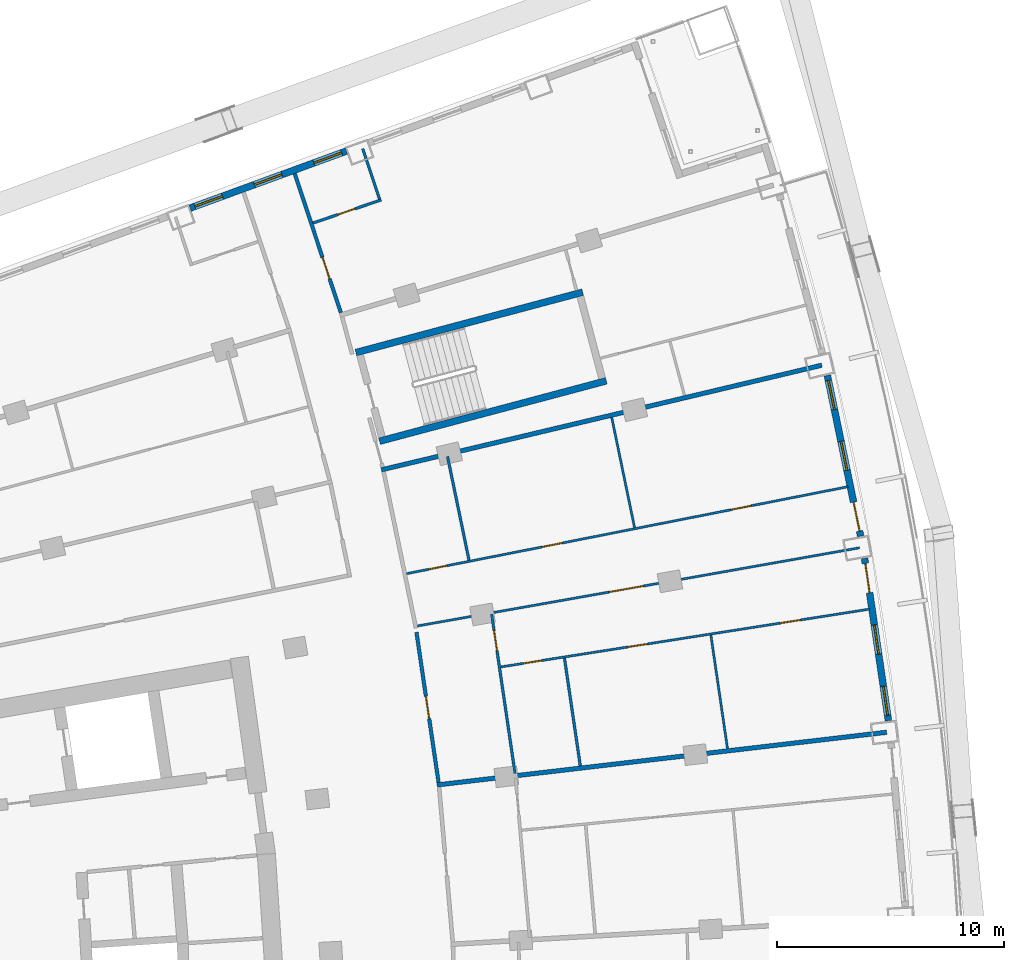
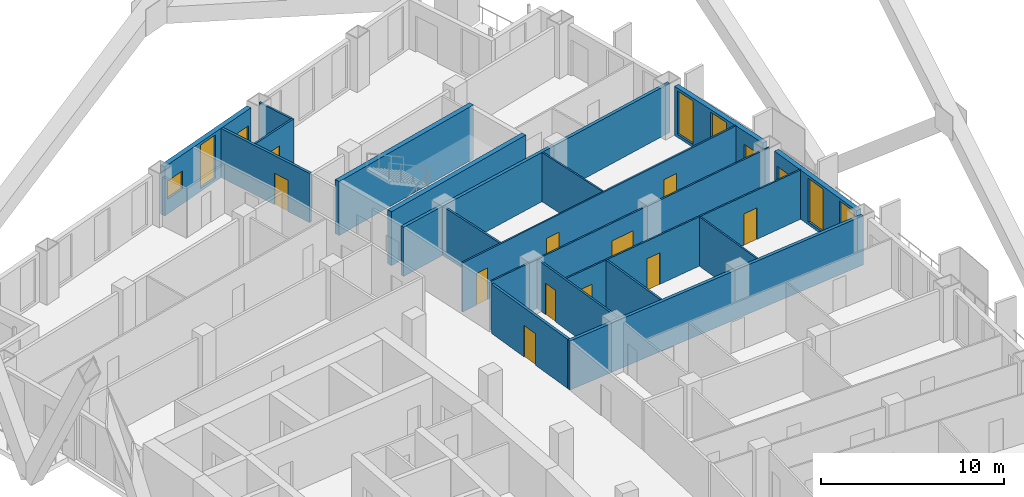
# One storey, part 18 of 24: 19 walls, 13 doors, 7 windows, 20 openings.
"""IFC4 building model written with IfcOpenShell, lengths in metres."""

from ifc_helpers import new_model, si_unit, direction, frame, frame_2d, origin, place, context, subcontext, project, spatial, rectangle, extrude, material, layer, layer_set, type_object, element, fill, save


model = new_model("IFC4")

# Units and contexts
model_context = context("Model", 3, precision=1e-05, world=origin(), true_north=direction((0.0, 1.0)))
body_context = subcontext(model_context, "Body", "Model", "MODEL_VIEW")
ifc_project = project(units=[si_unit("LENGTHUNIT", "METRE"), si_unit("AREAUNIT", "SQUARE_METRE"), si_unit("VOLUMEUNIT", "CUBIC_METRE"), si_unit("PLANEANGLEUNIT", "RADIAN"), si_unit("MASSUNIT", "GRAM", prefix="KILO")], contexts=[model_context])

# Site, building, storey
site_placement = place(None, origin())
site = spatial("IfcSite", under=ifc_project, at=site_placement, CompositionType="ELEMENT")
building_placement = place(site_placement, origin())
building = spatial("IfcBuilding", under=site, at=building_placement, Name="Alderwake Tower", CompositionType="ELEMENT")
storey_placement = place(building_placement, frame((0.0, 0.0, 104.0)))
storey = spatial("IfcBuildingStorey", under=building, at=storey_placement, Name="L25", CompositionType="ELEMENT", Elevation=104.0)

# Walls
ifc_material_1 = material(Name="Concrete C70/85", Category="concrete")
ifc_layer_1 = layer(ifc_material_1, 0.300048828125)
ifc_layer_set_1 = layer_set([ifc_layer_1], Name="Core wall stair enclosure 300 C70-85")
wall_type_1 = type_object("IfcWallType", Name="Core wall stair enclosure 300 C70-85", PredefinedType="SHEAR", material=ifc_layer_set_1)
for number, where, z_axis, x_axis, name in (
    (1, (36.71142578125, 94.182373046875, 0.0), (0.0, 0.0, 1.0), (0.966309214305, 0.257383958996, 0.0), "Core wall CW.082"),
    (2, (37.75390625, 90.268798828125, 0.0), (0.0, 0.0, 1.0), (0.966309214305, 0.257383958996, 0.0), "Core wall CW.084"),
):
    element("IfcWall", number, at=place(storey_placement, frame(where, z_axis=z_axis, x_axis=x_axis)), inside=storey, type_object=wall_type_1, Name=name, PredefinedType="SHEAR", context=body_context, shape_type="SweptSolid", body=[
        extrude(rectangle(XDim=10.360107421875, YDim=0.300048828125, at=frame_2d((5.18017578125, 0.0))), origin(), (0.0, 0.0, 1.0), 3.60009765625),
    ])

# Wall, opening, door
ifc_material_2 = material(Name="Gypsum board on metal studs, rated")
ifc_layer_2 = layer(ifc_material_2, 0.159912109375)
ifc_layer_set_2 = layer_set([ifc_layer_2], Name="Corridor wall 160")
wall_type_2 = type_object("IfcWallType", Name="Corridor wall 160", PredefinedType="PARTITIONING", material=ifc_layer_set_2)
wall_1_placement = place(storey_placement, frame((34.010986328125, 102.083984375, 0.0), z_axis=(0.0, 0.0, 1.0), x_axis=(0.315140606423, -0.949044992708, 0.0)))
wall_1 = element("IfcWall", 3, at=wall_1_placement, inside=storey, type_object=wall_type_2, Name="WL/L25/W28", PredefinedType="PARTITIONING", context=body_context, shape_type="SweptSolid", body=[
    extrude(rectangle(XDim=6.46875, YDim=0.159912109375, at=frame_2d((3.234375, 0.0))), origin(), (0.0, 0.0, 1.0), 3.280029296875),
])
opening_1_placement = place(wall_1_placement, frame((3.897705078125, 0.0, 0.0)))
opening_1 = element("IfcOpeningElement", 4, at=opening_1_placement, cuts=wall_1, Name="Opening R07-U04.1", PredefinedType="OPENING", context=body_context, shape_type="SweptSolid", body=[
    extrude(rectangle(XDim=1.0, YDim=2.10009765625, at=frame_2d((0.5, 1.050048828125))), frame((0.0, 0.08984375, 0.0), z_axis=(0.0, -1.0, 0.0), x_axis=(1.0, 0.0, 0.0)), (0.0, 0.0, 1.0), 0.179931640625),
])
ifc_material_3 = material(Name="Solid timber leaf in steel frame", Category="steel")
door_type_1 = type_object("IfcDoorType", Name="Flat entrance door 1000 fire-rated", OperationType="SINGLE_SWING_LEFT", PredefinedType="DOOR", material=ifc_material_3)
door_1_placement = place(opening_1_placement, origin())
door_1 = element("IfcDoor", 5, at=door_1_placement, inside=storey, type_object=door_type_1, Name="DR/L25/U04.1", OperationType="SINGLE_SWING_LEFT", OverallHeight=2.10009765625, OverallWidth=1.0, PredefinedType="DOOR", context=body_context, shape_type="SweptSolid", body=[
    extrude(rectangle(XDim=1.0, YDim=2.10009765625, at=frame_2d((0.5, 1.050048828125))), frame((0.0, 0.02490234375, 0.0), z_axis=(0.0, -1.0, 0.0), x_axis=(1.0, 0.0, 0.0)), (0.0, 0.0, 1.0), 0.050048828125),
])
fill(opening_1, door_1)

wall_2_placement = place(storey_placement, frame((39.38671875, 81.837158203125, 0.0), z_axis=(0.0, 0.0, 1.0), x_axis=(0.145576845789, -0.989346947218, 0.0)))
wall_2 = element("IfcWall", 6, at=wall_2_placement, inside=storey, type_object=wall_type_2, Name="WL/L25/W39", PredefinedType="PARTITIONING", context=body_context, shape_type="SweptSolid", body=[
    extrude(rectangle(XDim=6.701416015625, YDim=0.159912109375, at=frame_2d((3.3505859375, 0.0))), origin(), (0.0, 0.0, 1.0), 3.280029296875),
])
opening_2_placement = place(wall_2_placement, frame((2.850830078125, 0.0, 0.0)))
opening_2 = element("IfcOpeningElement", 7, at=opening_2_placement, cuts=wall_2, Name="Opening R07-U09.2", PredefinedType="OPENING", context=body_context, shape_type="SweptSolid", body=[
    extrude(rectangle(XDim=1.0, YDim=2.10009765625, at=frame_2d((0.5, 1.050048828125))), frame((0.0, 0.08984375, 0.0), z_axis=(0.0, -1.0, 0.0), x_axis=(1.0, 0.0, 0.0)), (0.0, 0.0, 1.0), 0.179931640625),
])
door_2_placement = place(opening_2_placement, origin())
door_2 = element("IfcDoor", 8, at=door_2_placement, inside=storey, type_object=door_type_1, Name="DR/L25/U09.2", OperationType="SINGLE_SWING_LEFT", OverallHeight=2.10009765625, OverallWidth=1.0, PredefinedType="DOOR", context=body_context, shape_type="SweptSolid", body=[
    extrude(rectangle(XDim=1.0, YDim=2.10009765625, at=frame_2d((0.5, 1.050048828125))), frame((0.0, 0.02490234375, 0.0), z_axis=(0.0, -1.0, 0.0), x_axis=(1.0, 0.0, 0.0)), (0.0, 0.0, 1.0), 0.050048828125),
])
fill(opening_2, door_2)

# Wall, openings, door, windows
ifc_material_4 = material(Name="Precast concrete C50/60 spandrel panel", Category="concrete")
ifc_layer_3 = layer(ifc_material_4, 0.300048828125)
ifc_layer_set_3 = layer_set([ifc_layer_3], Name="External wall EW1 Precast concrete C50/60 spandrel")
wall_type_3 = type_object("IfcWallType", Name="External wall EW1 Precast concrete C50/60 spandrel", PredefinedType="SOLIDWALL", material=ifc_layer_set_3)
wall_3_placement = place(storey_placement, frame((60.21728515625, 77.935302734375, 0.0), z_axis=(0.0, 0.0, 1.0), x_axis=(-0.145324114128, 0.989384102284, 0.0)))
wall_3 = element("IfcWall", 9, at=wall_3_placement, inside=storey, type_object=wall_type_3, Name="External wall 19", PredefinedType="SOLIDWALL", context=body_context, shape_type="SweptSolid", body=[
    extrude(rectangle(XDim=7.24072265625, YDim=0.300048828125, at=frame_2d((3.620361328125, 0.0))), origin(), (0.0, 0.0, 1.0), 3.280029296875),
])
opening_3_placement = place(wall_3_placement, frame((0.22900390625, 0.0, 0.199951171875)))
opening_3 = element("IfcOpeningElement", 10, at=opening_3_placement, cuts=wall_3, Name="Opening W1", PredefinedType="OPENING", context=body_context, shape_type="SweptSolid", body=[
    extrude(rectangle(XDim=1.300048828125, YDim=2.89990234375, at=frame_2d((0.64990234375, 1.449951171875))), frame((0.0, 0.159912109375, 0.0), z_axis=(0.0, -1.0, 0.0), x_axis=(1.0, 0.0, 0.0)), (0.0, 0.0, 1.0), 0.320068359375),
])
opening_4_placement = place(wall_3_placement, frame((2.97021484375, 0.0, 0.199951171875)))
opening_4 = element("IfcOpeningElement", 11, at=opening_4_placement, cuts=wall_3, Name="Opening W1", PredefinedType="OPENING", context=body_context, shape_type="SweptSolid", body=[
    extrude(rectangle(XDim=1.300048828125, YDim=2.89990234375, at=frame_2d((0.64990234375, 1.449951171875))), frame((0.0, 0.159912109375, 0.0), z_axis=(0.0, -1.0, 0.0), x_axis=(1.0, 0.0, 0.0)), (0.0, 0.0, 1.0), 0.320068359375),
])
opening_5_placement = place(wall_3_placement, frame((5.711669921875, 0.0, 0.0)))
opening_5 = element("IfcOpeningElement", 12, at=opening_5_placement, cuts=wall_3, Name="Opening D09", PredefinedType="OPENING", context=body_context, shape_type="SweptSolid", body=[
    extrude(rectangle(XDim=1.300048828125, YDim=2.39990234375, at=frame_2d((0.64990234375, 1.199951171875))), frame((0.0, 0.159912109375, 0.0), z_axis=(0.0, -1.0, 0.0), x_axis=(1.0, 0.0, 0.0)), (0.0, 0.0, 1.0), 0.320068359375),
])
ifc_material_5 = material(Name="Bronze tinted glass in aluminium frame", Category="aluminium")
door_type_2 = type_object("IfcDoorType", Name="Balcony door BD sliding", OperationType="SLIDING_TO_LEFT", PredefinedType="DOOR", material=ifc_material_5)
door_3_placement = place(opening_5_placement, origin())
door_3 = element("IfcDoor", 13, at=door_3_placement, inside=storey, type_object=door_type_2, Name="Door D09", OperationType="SLIDING_TO_LEFT", OverallHeight=2.39990234375, OverallWidth=1.300048828125, PredefinedType="DOOR", context=body_context, shape_type="SweptSolid", body=[
    extrude(rectangle(XDim=1.300048828125, YDim=2.39990234375, at=frame_2d((0.64990234375, 1.199951171875))), frame((0.0, 0.02490234375, 0.0), z_axis=(0.0, -1.0, 0.0), x_axis=(1.0, 0.0, 0.0)), (0.0, 0.0, 1.0), 0.050048828125),
])
fill(opening_5, door_3)
ifc_material_6 = material(Name="Bronze tinted glass in aluminium frame", Category="aluminium")
window_type_1 = type_object("IfcWindowType", Name="Window W1 tall fixed and vent", PartitioningType="DOUBLE_PANEL_VERTICAL", PredefinedType="WINDOW", material=ifc_material_6)
window_1_placement = place(opening_3_placement, origin())
window_1 = element("IfcWindow", 14, at=window_1_placement, inside=storey, type_object=window_type_1, Name="Window W1 tall fixed and vent", OverallHeight=2.89990234375, OverallWidth=1.300048828125, PartitioningType="DOUBLE_PANEL_VERTICAL", PredefinedType="WINDOW", context=body_context, shape_type="SweptSolid", body=[
    extrude(rectangle(XDim=1.300048828125, YDim=2.89990234375, at=frame_2d((0.64990234375, 1.449951171875))), frame((0.0, 0.030029296875, 0.0), z_axis=(0.0, -1.0, 0.0), x_axis=(1.0, 0.0, 0.0)), (0.0, 0.0, 1.0), 0.06005859375),
])
fill(opening_3, window_1)
window_2_placement = place(opening_4_placement, origin())
window_2 = element("IfcWindow", 15, at=window_2_placement, inside=storey, type_object=window_type_1, Name="Window W1 tall fixed and vent", OverallHeight=2.89990234375, OverallWidth=1.300048828125, PartitioningType="DOUBLE_PANEL_VERTICAL", PredefinedType="WINDOW", context=body_context, shape_type="SweptSolid", body=[
    extrude(rectangle(XDim=1.300048828125, YDim=2.89990234375, at=frame_2d((0.64990234375, 1.449951171875))), frame((0.0, 0.030029296875, 0.0), z_axis=(0.0, -1.0, 0.0), x_axis=(1.0, 0.0, 0.0)), (0.0, 0.0, 1.0), 0.06005859375),
])
fill(opening_4, window_2)

wall_4_placement = place(storey_placement, frame((58.991455078125, 86.081298828125, 0.0), z_axis=(0.0, 0.0, 1.0), x_axis=(-0.202744971344, 0.97923157455, 0.0)))
wall_4 = element("IfcWall", 16, at=wall_4_placement, inside=storey, type_object=wall_type_3, Name="External wall 20", PredefinedType="SOLIDWALL", context=body_context, shape_type="SweptSolid", body=[
    extrude(rectangle(XDim=7.24072265625, YDim=0.300048828125, at=frame_2d((3.620361328125, 0.0))), origin(), (0.0, 0.0, 1.0), 3.280029296875),
])
opening_6_placement = place(wall_4_placement, frame((0.22900390625, 0.0, 0.0)))
opening_6 = element("IfcOpeningElement", 17, at=opening_6_placement, cuts=wall_4, Name="Opening D10", PredefinedType="OPENING", context=body_context, shape_type="SweptSolid", body=[
    extrude(rectangle(XDim=1.300048828125, YDim=2.39990234375, at=frame_2d((0.64990234375, 1.199951171875))), frame((0.0, 0.159912109375, 0.0), z_axis=(0.0, -1.0, 0.0), x_axis=(1.0, 0.0, 0.0)), (0.0, 0.0, 1.0), 0.320068359375),
])
opening_7_placement = place(wall_4_placement, frame((2.970458984375, 0.0, 0.199951171875)))
opening_7 = element("IfcOpeningElement", 18, at=opening_7_placement, cuts=wall_4, Name="Opening W1", PredefinedType="OPENING", context=body_context, shape_type="SweptSolid", body=[
    extrude(rectangle(XDim=1.300048828125, YDim=2.89990234375, at=frame_2d((0.64990234375, 1.449951171875))), frame((0.0, 0.159912109375, 0.0), z_axis=(0.0, -1.0, 0.0), x_axis=(1.0, 0.0, 0.0)), (0.0, 0.0, 1.0), 0.320068359375),
])
opening_8_placement = place(wall_4_placement, frame((5.711669921875, 0.0, 0.199951171875)))
opening_8 = element("IfcOpeningElement", 19, at=opening_8_placement, cuts=wall_4, Name="Opening W1", PredefinedType="OPENING", context=body_context, shape_type="SweptSolid", body=[
    extrude(rectangle(XDim=1.300048828125, YDim=2.89990234375, at=frame_2d((0.64990234375, 1.449951171875))), frame((0.0, 0.159912109375, 0.0), z_axis=(0.0, -1.0, 0.0), x_axis=(1.0, 0.0, 0.0)), (0.0, 0.0, 1.0), 0.320068359375),
])
door_4_placement = place(opening_6_placement, origin())
door_4 = element("IfcDoor", 20, at=door_4_placement, inside=storey, type_object=door_type_2, Name="Door D10", OperationType="SLIDING_TO_LEFT", OverallHeight=2.39990234375, OverallWidth=1.300048828125, PredefinedType="DOOR", context=body_context, shape_type="SweptSolid", body=[
    extrude(rectangle(XDim=1.300048828125, YDim=2.39990234375, at=frame_2d((0.64990234375, 1.199951171875))), frame((0.0, 0.02490234375, 0.0), z_axis=(0.0, -1.0, 0.0), x_axis=(1.0, 0.0, 0.0)), (0.0, 0.0, 1.0), 0.050048828125),
])
fill(opening_6, door_4)
window_3_placement = place(opening_7_placement, origin())
window_3 = element("IfcWindow", 21, at=window_3_placement, inside=storey, type_object=window_type_1, Name="Window W1 tall fixed and vent", OverallHeight=2.89990234375, OverallWidth=1.300048828125, PartitioningType="DOUBLE_PANEL_VERTICAL", PredefinedType="WINDOW", context=body_context, shape_type="SweptSolid", body=[
    extrude(rectangle(XDim=1.300048828125, YDim=2.89990234375, at=frame_2d((0.64990234375, 1.449951171875))), frame((0.0, 0.030029296875, 0.0), z_axis=(0.0, -1.0, 0.0), x_axis=(1.0, 0.0, 0.0)), (0.0, 0.0, 1.0), 0.06005859375),
])
fill(opening_7, window_3)
window_4_placement = place(opening_8_placement, origin())
window_4 = element("IfcWindow", 22, at=window_4_placement, inside=storey, type_object=window_type_1, Name="Window W1 tall fixed and vent", OverallHeight=2.89990234375, OverallWidth=1.300048828125, PartitioningType="DOUBLE_PANEL_VERTICAL", PredefinedType="WINDOW", context=body_context, shape_type="SweptSolid", body=[
    extrude(rectangle(XDim=1.300048828125, YDim=2.89990234375, at=frame_2d((0.64990234375, 1.449951171875))), frame((0.0, 0.030029296875, 0.0), z_axis=(0.0, -1.0, 0.0), x_axis=(1.0, 0.0, 0.0)), (0.0, 0.0, 1.0), 0.06005859375),
])
fill(opening_8, window_4)

# Wall, openings, windows
ifc_material_7 = material(Name="Bronze metal cladding on lightweight framing")
ifc_layer_4 = layer(ifc_material_7, 0.300048828125)
ifc_layer_set_4 = layer_set([ifc_layer_4], Name="External wall EW2 bronze metal cladding")
wall_type_4 = type_object("IfcWallType", Name="External wall EW2 bronze metal cladding", PredefinedType="SOLIDWALL", material=ifc_layer_set_4)
wall_5_placement = place(storey_placement, frame((36.293701171875, 103.077880859375, 0.0), z_axis=(0.0, 0.0, 1.0), x_axis=(-0.939378390818, -0.342882252187, 0.0)))
wall_5 = element("IfcWall", 23, at=wall_5_placement, inside=storey, type_object=wall_type_4, Name="External wall 27", PredefinedType="SOLIDWALL", context=body_context, shape_type="SweptSolid", body=[
    extrude(rectangle(XDim=7.345947265625, YDim=0.300048828125, at=frame_2d((3.6728515625, 0.0))), origin(), (0.0, 0.0, 1.0), 3.280029296875),
])
opening_9_placement = place(wall_5_placement, frame((0.222900390625, 0.0, 1.0)))
opening_9 = element("IfcOpeningElement", 24, at=opening_9_placement, cuts=wall_5, Name="Opening W2", PredefinedType="OPENING", context=body_context, shape_type="SweptSolid", body=[
    extrude(rectangle(XDim=1.300048828125, YDim=1.199951171875, at=frame_2d((0.64990234375, 0.60009765625))), frame((0.0, 0.159912109375, 0.0), z_axis=(0.0, -1.0, 0.0), x_axis=(1.0, 0.0, 0.0)), (0.0, 0.0, 1.0), 0.320068359375),
])
opening_10_placement = place(wall_5_placement, frame((3.02294921875, 0.0, 0.199951171875)))
opening_10 = element("IfcOpeningElement", 25, at=opening_10_placement, cuts=wall_5, Name="Opening W1", PredefinedType="OPENING", context=body_context, shape_type="SweptSolid", body=[
    extrude(rectangle(XDim=1.300048828125, YDim=2.89990234375, at=frame_2d((0.64990234375, 1.449951171875))), frame((0.0, 0.159912109375, 0.0), z_axis=(0.0, -1.0, 0.0), x_axis=(1.0, 0.0, 0.0)), (0.0, 0.0, 1.0), 0.320068359375),
])
opening_11_placement = place(wall_5_placement, frame((5.822998046875, 0.0, 1.0)))
opening_11 = element("IfcOpeningElement", 26, at=opening_11_placement, cuts=wall_5, Name="Opening W2", PredefinedType="OPENING", context=body_context, shape_type="SweptSolid", body=[
    extrude(rectangle(XDim=1.300048828125, YDim=1.199951171875, at=frame_2d((0.64990234375, 0.60009765625))), frame((0.0, 0.159912109375, 0.0), z_axis=(0.0, -1.0, 0.0), x_axis=(1.0, 0.0, 0.0)), (0.0, 0.0, 1.0), 0.320068359375),
])
window_5_placement = place(opening_10_placement, origin())
window_5 = element("IfcWindow", 27, at=window_5_placement, inside=storey, type_object=window_type_1, Name="Window W1 tall fixed and vent", OverallHeight=2.89990234375, OverallWidth=1.300048828125, PartitioningType="DOUBLE_PANEL_VERTICAL", PredefinedType="WINDOW", context=body_context, shape_type="SweptSolid", body=[
    extrude(rectangle(XDim=1.300048828125, YDim=2.89990234375, at=frame_2d((0.64990234375, 1.449951171875))), frame((0.0, 0.030029296875, 0.0), z_axis=(0.0, -1.0, 0.0), x_axis=(1.0, 0.0, 0.0)), (0.0, 0.0, 1.0), 0.06005859375),
])
fill(opening_10, window_5)
ifc_material_8 = material(Name="Bronze tinted glass in aluminium frame", Category="aluminium")
window_type_2 = type_object("IfcWindowType", Name="Window W2 kitchen and bath", PartitioningType="SINGLE_PANEL", PredefinedType="WINDOW", material=ifc_material_8)
window_6_placement = place(opening_9_placement, origin())
window_6 = element("IfcWindow", 28, at=window_6_placement, inside=storey, type_object=window_type_2, Name="Window W2 kitchen and bath", OverallHeight=1.199951171875, OverallWidth=1.300048828125, PartitioningType="SINGLE_PANEL", PredefinedType="WINDOW", context=body_context, shape_type="SweptSolid", body=[
    extrude(rectangle(XDim=1.300048828125, YDim=1.199951171875, at=frame_2d((0.64990234375, 0.60009765625))), frame((0.0, 0.030029296875, 0.0), z_axis=(0.0, -1.0, 0.0), x_axis=(1.0, 0.0, 0.0)), (0.0, 0.0, 1.0), 0.06005859375),
])
fill(opening_9, window_6)
window_7_placement = place(opening_11_placement, origin())
window_7 = element("IfcWindow", 29, at=window_7_placement, inside=storey, type_object=window_type_2, Name="Window W2 kitchen and bath", OverallHeight=1.199951171875, OverallWidth=1.300048828125, PartitioningType="SINGLE_PANEL", PredefinedType="WINDOW", context=body_context, shape_type="SweptSolid", body=[
    extrude(rectangle(XDim=1.300048828125, YDim=1.199951171875, at=frame_2d((0.64990234375, 0.60009765625))), frame((0.0, 0.030029296875, 0.0), z_axis=(0.0, -1.0, 0.0), x_axis=(1.0, 0.0, 0.0)), (0.0, 0.0, 1.0), 0.06005859375),
])
fill(opening_11, window_7)

# Walls
ifc_material_9 = material(Name="Dense block masonry wall", Category="masonry")
ifc_layer_5 = layer(ifc_material_9, 0.199951171875)
ifc_layer_set_5 = layer_set([ifc_layer_5], Name="Party wall 200")
wall_type_5 = type_object("IfcWallType", Name="Party wall 200", PredefinedType="SOLIDWALL", material=ifc_layer_set_5)
wall_6_placement = place(storey_placement, frame((37.839111328125, 89.006591796875, 0.0), z_axis=(0.0, 0.0, 1.0), x_axis=(0.972923052294, 0.23112925889, 0.0)))
element("IfcWall", 30, at=wall_6_placement, inside=storey, type_object=wall_type_5, Name="WL/L25/W07", PredefinedType="SOLIDWALL", context=body_context, shape_type="SweptSolid", body=[
    extrude(rectangle(XDim=19.977783203125, YDim=0.199951171875, at=frame_2d((9.98876953125, 0.0))), origin(), (0.0, 0.0, 1.0), 3.280029296875),
])
wall_7_placement = place(storey_placement, frame((40.297607421875, 75.0986328125, 0.0), z_axis=(0.0, 0.0, 1.0), x_axis=(0.993203301945, 0.11639244394, 0.0)))
element("IfcWall", 31, at=wall_7_placement, inside=storey, type_object=wall_type_5, Name="WL/L25/W08", PredefinedType="SOLIDWALL", context=body_context, shape_type="SweptSolid", body=[
    extrude(rectangle(XDim=19.979248046875, YDim=0.199951171875, at=frame_2d((9.98974609375, 0.0))), origin(), (0.0, 0.0, 1.0), 3.280029296875),
])

# Wall, openings, doors
ifc_material_10 = material(Name="Gypsum board on metal studs")
ifc_layer_6 = layer(ifc_material_10, 0.10009765625)
ifc_layer_set_6 = layer_set([ifc_layer_6], Name="Unit partition 100")
wall_type_6 = type_object("IfcWallType", Name="Unit partition 100", PredefinedType="PARTITIONING", material=ifc_layer_set_6)
wall_8_placement = place(storey_placement, frame((38.949462890625, 84.423583984375, 0.0), z_axis=(0.0, 0.0, 1.0), x_axis=(0.981139690944, 0.193300043595, 0.0)))
wall_8 = element("IfcWall", 32, at=wall_8_placement, inside=storey, type_object=wall_type_6, Name="WL/L25/W72", PredefinedType="PARTITIONING", context=body_context, shape_type="SweptSolid", body=[
    extrude(rectangle(XDim=19.862060546875, YDim=0.10009765625, at=frame_2d((9.93115234375, 0.0))), origin(), (0.0, 0.0, 1.0), 3.280029296875),
])
opening_12_placement = place(wall_8_placement, frame((6.093017578125, 0.0, 0.0)))
opening_12 = element("IfcOpeningElement", 33, at=opening_12_placement, cuts=wall_8, Name="Opening R07-U09.6", PredefinedType="OPENING", context=body_context, shape_type="SweptSolid", body=[
    extrude(rectangle(XDim=0.89990234375, YDim=2.10009765625, at=frame_2d((0.449951171875, 1.050048828125))), frame((0.0, 0.06005859375, 0.0), z_axis=(0.0, -1.0, 0.0), x_axis=(1.0, 0.0, 0.0)), (0.0, 0.0, 1.0), 0.1201171875),
])
opening_13_placement = place(wall_8_placement, frame((1.009521484375, 0.0, 0.0)))
opening_13 = element("IfcOpeningElement", 34, at=opening_13_placement, cuts=wall_8, Name="Opening R07-U09.7", PredefinedType="OPENING", context=body_context, shape_type="SweptSolid", body=[
    extrude(rectangle(XDim=0.800048828125, YDim=2.10009765625, at=frame_2d((0.39990234375, 1.050048828125))), frame((0.0, 0.06005859375, 0.0), z_axis=(0.0, -1.0, 0.0), x_axis=(1.0, 0.0, 0.0)), (0.0, 0.0, 1.0), 0.1201171875),
])
opening_14_placement = place(wall_8_placement, frame((14.614501953125, 0.0, 0.0)))
opening_14 = element("IfcOpeningElement", 35, at=opening_14_placement, cuts=wall_8, Name="Opening R07-U09.8", PredefinedType="OPENING", context=body_context, shape_type="SweptSolid", body=[
    extrude(rectangle(XDim=0.89990234375, YDim=2.10009765625, at=frame_2d((0.449951171875, 1.050048828125))), frame((0.0, 0.06005859375, 0.0), z_axis=(0.0, -1.0, 0.0), x_axis=(1.0, 0.0, 0.0)), (0.0, 0.0, 1.0), 0.1201171875),
])
ifc_material_11 = material(Name="Painted timber leaf", Category="wood")
door_type_3 = type_object("IfcDoorType", Name="Bathroom door 800", OperationType="SINGLE_SWING_LEFT", PredefinedType="DOOR", material=ifc_material_11)
door_5_placement = place(opening_13_placement, origin())
door_5 = element("IfcDoor", 36, at=door_5_placement, inside=storey, type_object=door_type_3, Name="DR/L25/U09.7", OperationType="SINGLE_SWING_LEFT", OverallHeight=2.10009765625, OverallWidth=0.800048828125, PredefinedType="DOOR", context=body_context, shape_type="SweptSolid", body=[
    extrude(rectangle(XDim=0.800048828125, YDim=2.10009765625, at=frame_2d((0.39990234375, 1.050048828125))), frame((0.0, 0.02490234375, 0.0), z_axis=(0.0, -1.0, 0.0), x_axis=(1.0, 0.0, 0.0)), (0.0, 0.0, 1.0), 0.050048828125),
])
fill(opening_13, door_5)
ifc_material_12 = material(Name="Painted timber leaf", Category="wood")
door_type_4 = type_object("IfcDoorType", Name="Room door 900", OperationType="SINGLE_SWING_LEFT", PredefinedType="DOOR", material=ifc_material_12)
door_6_placement = place(opening_12_placement, origin())
door_6 = element("IfcDoor", 37, at=door_6_placement, inside=storey, type_object=door_type_4, Name="DR/L25/U09.6", OperationType="SINGLE_SWING_LEFT", OverallHeight=2.10009765625, OverallWidth=0.89990234375, PredefinedType="DOOR", context=body_context, shape_type="SweptSolid", body=[
    extrude(rectangle(XDim=0.89990234375, YDim=2.10009765625, at=frame_2d((0.449951171875, 1.050048828125))), frame((0.0, 0.02490234375, 0.0), z_axis=(0.0, -1.0, 0.0), x_axis=(1.0, 0.0, 0.0)), (0.0, 0.0, 1.0), 0.050048828125),
])
fill(opening_12, door_6)
door_7_placement = place(opening_14_placement, origin())
door_7 = element("IfcDoor", 38, at=door_7_placement, inside=storey, type_object=door_type_4, Name="DR/L25/U09.8", OperationType="SINGLE_SWING_LEFT", OverallHeight=2.10009765625, OverallWidth=0.89990234375, PredefinedType="DOOR", context=body_context, shape_type="SweptSolid", body=[
    extrude(rectangle(XDim=0.89990234375, YDim=2.10009765625, at=frame_2d((0.449951171875, 1.050048828125))), frame((0.0, 0.02490234375, 0.0), z_axis=(0.0, -1.0, 0.0), x_axis=(1.0, 0.0, 0.0)), (0.0, 0.0, 1.0), 0.050048828125),
])
fill(opening_14, door_7)

# Wall, opening, door
wall_9_placement = place(storey_placement, frame((39.4267578125, 82.114990234375, 0.0), z_axis=(0.0, 0.0, 1.0), x_axis=(0.984725717962, 0.174112780649, 0.0)))
wall_9 = element("IfcWall", 39, at=wall_9_placement, inside=storey, type_object=wall_type_6, Name="WL/L25/W73", PredefinedType="PARTITIONING", context=body_context, shape_type="SweptSolid", body=[
    extrude(rectangle(XDim=19.820068359375, YDim=0.10009765625, at=frame_2d((9.91015625, 0.0))), origin(), (0.0, 0.0, 1.0), 3.280029296875),
])
opening_15_placement = place(wall_9_placement, frame((8.6064453125, 0.0, 0.0)))
opening_15 = element("IfcOpeningElement", 40, at=opening_15_placement, cuts=wall_9, Name="Opening R07-U09.9", PredefinedType="OPENING", context=body_context, shape_type="SweptSolid", body=[
    extrude(rectangle(XDim=1.5, YDim=2.10009765625, at=frame_2d((0.75, 1.050048828125))), frame((0.0, 0.06005859375, 0.0), z_axis=(0.0, -1.0, 0.0), x_axis=(1.0, 0.0, 0.0)), (0.0, 0.0, 1.0), 0.1201171875),
])
ifc_material_13 = material(Name="Painted timber leaves", Category="wood")
door_type_5 = type_object("IfcDoorType", Name="Double leaf door 1500", OperationType="DOUBLE_DOOR_SINGLE_SWING", PredefinedType="DOOR", material=ifc_material_13)
door_8_placement = place(opening_15_placement, origin())
door_8 = element("IfcDoor", 41, at=door_8_placement, inside=storey, type_object=door_type_5, Name="DR/L25/U09.9", OperationType="DOUBLE_DOOR_SINGLE_SWING", OverallHeight=2.10009765625, OverallWidth=1.5, PredefinedType="DOOR", context=body_context, shape_type="SweptSolid", body=[
    extrude(rectangle(XDim=1.5, YDim=2.10009765625, at=frame_2d((0.75, 1.050048828125))), frame((0.0, 0.02490234375, 0.0), z_axis=(0.0, -1.0, 0.0), x_axis=(1.0, 0.0, 0.0)), (0.0, 0.0, 1.0), 0.050048828125),
])
fill(opening_15, door_8)

# Wall, openings, doors
wall_10_placement = place(storey_placement, frame((59.39404296875, 82.860107421875, 0.0), z_axis=(0.0, 0.0, 1.0), x_axis=(-0.9879355272, -0.15486572925, 0.0)))
wall_10 = element("IfcWall", 42, at=wall_10_placement, inside=storey, type_object=wall_type_6, Name="WL/L25/W76", PredefinedType="PARTITIONING", context=body_context, shape_type="SweptSolid", body=[
    extrude(rectangle(XDim=16.483642578125, YDim=0.10009765625, at=frame_2d((8.24169921875, 0.0))), origin(), (0.0, 0.0, 1.0), 3.280029296875),
])
opening_16_placement = place(wall_10_placement, frame((9.92626953125, 0.0, 0.0)))
opening_16 = element("IfcOpeningElement", 43, at=opening_16_placement, cuts=wall_10, Name="Opening R07-U09.1", PredefinedType="OPENING", context=body_context, shape_type="SweptSolid", body=[
    extrude(rectangle(XDim=0.89990234375, YDim=2.10009765625, at=frame_2d((0.449951171875, 1.050048828125))), frame((0.0, 0.06005859375, 0.0), z_axis=(0.0, -1.0, 0.0), x_axis=(1.0, 0.0, 0.0)), (0.0, 0.0, 1.0), 0.1201171875),
])
opening_17_placement = place(wall_10_placement, frame((14.664794921875, 0.0, 0.0)))
opening_17 = element("IfcOpeningElement", 44, at=opening_17_placement, cuts=wall_10, Name="Opening R07-U09.4", PredefinedType="OPENING", context=body_context, shape_type="SweptSolid", body=[
    extrude(rectangle(XDim=0.800048828125, YDim=2.10009765625, at=frame_2d((0.39990234375, 1.050048828125))), frame((0.0, 0.06005859375, 0.0), z_axis=(0.0, -1.0, 0.0), x_axis=(1.0, 0.0, 0.0)), (0.0, 0.0, 1.0), 0.1201171875),
])
opening_18_placement = place(wall_10_placement, frame((3.10400390625, 0.0, 0.0)))
opening_18 = element("IfcOpeningElement", 45, at=opening_18_placement, cuts=wall_10, Name="Opening R07-U09.5", PredefinedType="OPENING", context=body_context, shape_type="SweptSolid", body=[
    extrude(rectangle(XDim=0.89990234375, YDim=2.10009765625, at=frame_2d((0.449951171875, 1.050048828125))), frame((0.0, 0.06005859375, 0.0), z_axis=(0.0, -1.0, 0.0), x_axis=(1.0, 0.0, 0.0)), (0.0, 0.0, 1.0), 0.1201171875),
])
door_9_placement = place(opening_17_placement, origin())
door_9 = element("IfcDoor", 46, at=door_9_placement, inside=storey, type_object=door_type_3, Name="DR/L25/U09.4", OperationType="SINGLE_SWING_LEFT", OverallHeight=2.10009765625, OverallWidth=0.800048828125, PredefinedType="DOOR", context=body_context, shape_type="SweptSolid", body=[
    extrude(rectangle(XDim=0.800048828125, YDim=2.10009765625, at=frame_2d((0.39990234375, 1.050048828125))), frame((0.0, 0.02490234375, 0.0), z_axis=(0.0, -1.0, 0.0), x_axis=(1.0, 0.0, 0.0)), (0.0, 0.0, 1.0), 0.050048828125),
])
fill(opening_17, door_9)
door_10_placement = place(opening_16_placement, origin())
door_10 = element("IfcDoor", 47, at=door_10_placement, inside=storey, type_object=door_type_4, Name="DR/L25/U09.1", OperationType="SINGLE_SWING_LEFT", OverallHeight=2.10009765625, OverallWidth=0.89990234375, PredefinedType="DOOR", context=body_context, shape_type="SweptSolid", body=[
    extrude(rectangle(XDim=0.89990234375, YDim=2.10009765625, at=frame_2d((0.449951171875, 1.050048828125))), frame((0.0, 0.02490234375, 0.0), z_axis=(0.0, -1.0, 0.0), x_axis=(1.0, 0.0, 0.0)), (0.0, 0.0, 1.0), 0.050048828125),
])
fill(opening_16, door_10)
door_11_placement = place(opening_18_placement, origin())
door_11 = element("IfcDoor", 48, at=door_11_placement, inside=storey, type_object=door_type_4, Name="DR/L25/U09.5", OperationType="SINGLE_SWING_LEFT", OverallHeight=2.10009765625, OverallWidth=0.89990234375, PredefinedType="DOOR", context=body_context, shape_type="SweptSolid", body=[
    extrude(rectangle(XDim=0.89990234375, YDim=2.10009765625, at=frame_2d((0.449951171875, 1.050048828125))), frame((0.0, 0.02490234375, 0.0), z_axis=(0.0, -1.0, 0.0), x_axis=(1.0, 0.0, 0.0)), (0.0, 0.0, 1.0), 0.050048828125),
])
fill(opening_18, door_11)

# Walls
wall_11_placement = place(storey_placement, frame((49.0126953125, 86.4580078125, 0.0), z_axis=(0.0, 0.0, 1.0), x_axis=(-0.202950413488, 0.979189016312, 0.0)))
element("IfcWall", 49, at=wall_11_placement, inside=storey, type_object=wall_type_6, Name="WL/L25/W83", PredefinedType="PARTITIONING", context=body_context, shape_type="SweptSolid", body=[
    extrude(rectangle(XDim=4.96337890625, YDim=0.10009765625, at=frame_2d((2.481689453125, 0.0))), origin(), (0.0, 0.0, 1.0), 3.280029296875),
])
wall_12_placement = place(storey_placement, frame((53.115478515625, 76.700927734375, 0.0), z_axis=(0.0, 0.0, 1.0), x_axis=(-0.145026054314, 0.989427836464, 0.0)))
element("IfcWall", 50, at=wall_12_placement, inside=storey, type_object=wall_type_6, Name="WL/L25/W88", PredefinedType="PARTITIONING", context=body_context, shape_type="SweptSolid", body=[
    extrude(rectangle(XDim=5.06201171875, YDim=0.10009765625, at=frame_2d((2.531005859375, 0.0))), origin(), (0.0, 0.0, 1.0), 3.280029296875),
])

# Wall, opening, door
ifc_material_14 = material(Name="Moisture resistant gypsum board on metal studs")
ifc_layer_7 = layer(ifc_material_14, 0.1201171875)
ifc_layer_set_7 = layer_set([ifc_layer_7], Name="Wet room partition 120")
wall_type_7 = type_object("IfcWallType", Name="Wet room partition 120", PredefinedType="PARTITIONING", material=ifc_layer_set_7)
wall_13_placement = place(storey_placement, frame((34.81884765625, 99.901611328125, 0.0), z_axis=(0.0, 0.0, 1.0), x_axis=(0.947175058373, 0.320717022928, 0.0)))
wall_13 = element("IfcWall", 51, at=wall_13_placement, inside=storey, type_object=wall_type_7, Name="WL/L25/W50", PredefinedType="PARTITIONING", context=body_context, shape_type="SweptSolid", body=[
    extrude(rectangle(XDim=3.178955078125, YDim=0.1201171875, at=frame_2d((1.58935546875, 0.0))), origin(), (0.0, 0.0, 1.0), 3.280029296875),
])
opening_19_placement = place(wall_13_placement, frame((1.15966796875, 0.0, 0.0)))
opening_19 = element("IfcOpeningElement", 52, at=opening_19_placement, cuts=wall_13, Name="Opening R07-U04.2", PredefinedType="OPENING", context=body_context, shape_type="SweptSolid", body=[
    extrude(rectangle(XDim=0.800048828125, YDim=2.10009765625, at=frame_2d((0.39990234375, 1.050048828125))), frame((0.0, 0.070068359375, 0.0), z_axis=(0.0, -1.0, 0.0), x_axis=(1.0, 0.0, 0.0)), (0.0, 0.0, 1.0), 0.14013671875),
])
door_12_placement = place(opening_19_placement, origin())
door_12 = element("IfcDoor", 53, at=door_12_placement, inside=storey, type_object=door_type_3, Name="DR/L25/U04.2", OperationType="SINGLE_SWING_LEFT", OverallHeight=2.10009765625, OverallWidth=0.800048828125, PredefinedType="DOOR", context=body_context, shape_type="SweptSolid", body=[
    extrude(rectangle(XDim=0.800048828125, YDim=2.10009765625, at=frame_2d((0.39990234375, 1.050048828125))), frame((0.0, 0.02490234375, 0.0), z_axis=(0.0, -1.0, 0.0), x_axis=(1.0, 0.0, 0.0)), (0.0, 0.0, 1.0), 0.050048828125),
])
fill(opening_19, door_12)

# Walls
wall_14_placement = place(storey_placement, frame((37.754150390625, 100.958984375, 0.0), z_axis=(0.0, 0.0, 1.0), x_axis=(-0.314726191852, 0.949182503085, 0.0)))
element("IfcWall", 54, at=wall_14_placement, inside=storey, type_object=wall_type_7, Name="WL/L25/W53", PredefinedType="PARTITIONING", context=body_context, shape_type="SweptSolid", body=[
    extrude(rectangle(XDim=2.341796875, YDim=0.1201171875, at=frame_2d((1.1708984375, 0.0))), origin(), (0.0, 0.0, 1.0), 3.280029296875),
])
wall_15_placement = place(storey_placement, frame((41.704833984375, 85.01806640625, 0.0), z_axis=(0.0, 0.0, 1.0), x_axis=(-0.20267985984, 0.979245053301, 0.0)))
element("IfcWall", 55, at=wall_15_placement, inside=storey, type_object=wall_type_7, Name="WL/L25/W55", PredefinedType="PARTITIONING", context=body_context, shape_type="SweptSolid", body=[
    extrude(rectangle(XDim=4.6748046875, YDim=0.1201171875, at=frame_2d((2.33740234375, 0.0))), origin(), (0.0, 0.0, 1.0), 3.280029296875),
])

# Wall, opening, door
wall_16_placement = place(storey_placement, frame((42.703369140625, 82.6455078125, 0.0), z_axis=(0.0, 0.0, 1.0), x_axis=(0.145290574876, -0.989389028063, 0.0)))
wall_16 = element("IfcWall", 56, at=wall_16_placement, inside=storey, type_object=wall_type_7, Name="WL/L25/W56", PredefinedType="PARTITIONING", context=body_context, shape_type="SweptSolid", body=[
    extrude(rectangle(XDim=7.117919921875, YDim=0.1201171875, at=frame_2d((3.55908203125, 0.0))), origin(), (0.0, 0.0, 1.0), 3.280029296875),
])
opening_20_placement = place(wall_16_placement, frame((0.73681640625, 0.0, 0.0)))
opening_20 = element("IfcOpeningElement", 57, at=opening_20_placement, cuts=wall_16, Name="Opening R07-U09.3", PredefinedType="OPENING", context=body_context, shape_type="SweptSolid", body=[
    extrude(rectangle(XDim=0.89990234375, YDim=2.10009765625, at=frame_2d((0.449951171875, 1.050048828125))), frame((0.0, 0.070068359375, 0.0), z_axis=(0.0, -1.0, 0.0), x_axis=(1.0, 0.0, 0.0)), (0.0, 0.0, 1.0), 0.14013671875),
])
door_13_placement = place(opening_20_placement, origin())
door_13 = element("IfcDoor", 58, at=door_13_placement, inside=storey, type_object=door_type_4, Name="DR/L25/U09.3", OperationType="SINGLE_SWING_LEFT", OverallHeight=2.10009765625, OverallWidth=0.89990234375, PredefinedType="DOOR", context=body_context, shape_type="SweptSolid", body=[
    extrude(rectangle(XDim=0.89990234375, YDim=2.10009765625, at=frame_2d((0.449951171875, 1.050048828125))), frame((0.0, 0.02490234375, 0.0), z_axis=(0.0, -1.0, 0.0), x_axis=(1.0, 0.0, 0.0)), (0.0, 0.0, 1.0), 0.050048828125),
])
fill(opening_20, door_13)

# Wall
wall_17_placement = place(storey_placement, frame((46.617431640625, 75.93896484375, 0.0), z_axis=(0.0, 0.0, 1.0), x_axis=(-0.145238137818, 0.989396726962, 0.0)))
element("IfcWall", 59, at=wall_17_placement, inside=storey, type_object=wall_type_7, Name="WL/L25/W64", PredefinedType="PARTITIONING", context=body_context, shape_type="SweptSolid", body=[
    extrude(rectangle(XDim=4.8076171875, YDim=0.1201171875, at=frame_2d((2.40380859375, 0.0))), origin(), (0.0, 0.0, 1.0), 3.280029296875),
])

save(model, "model.ifc")
